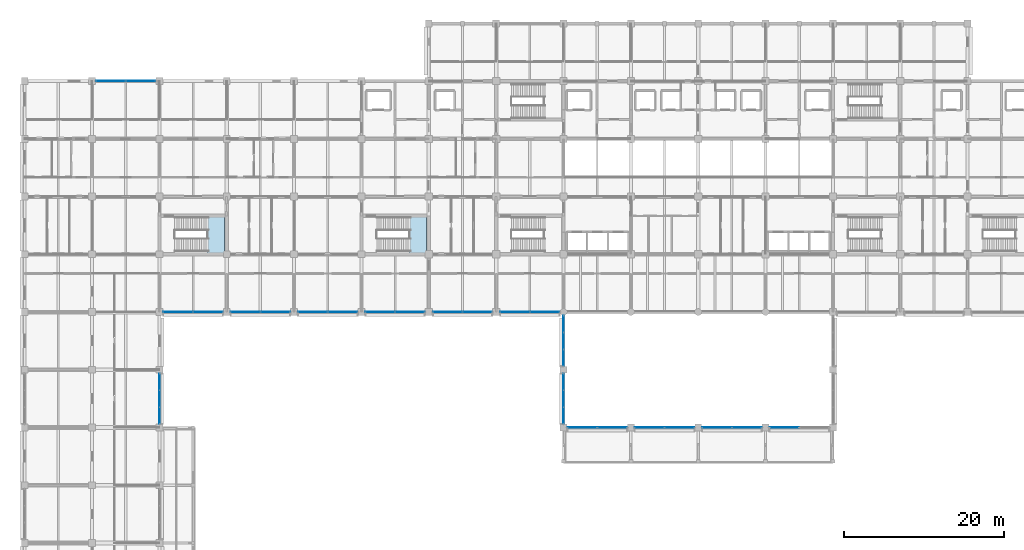
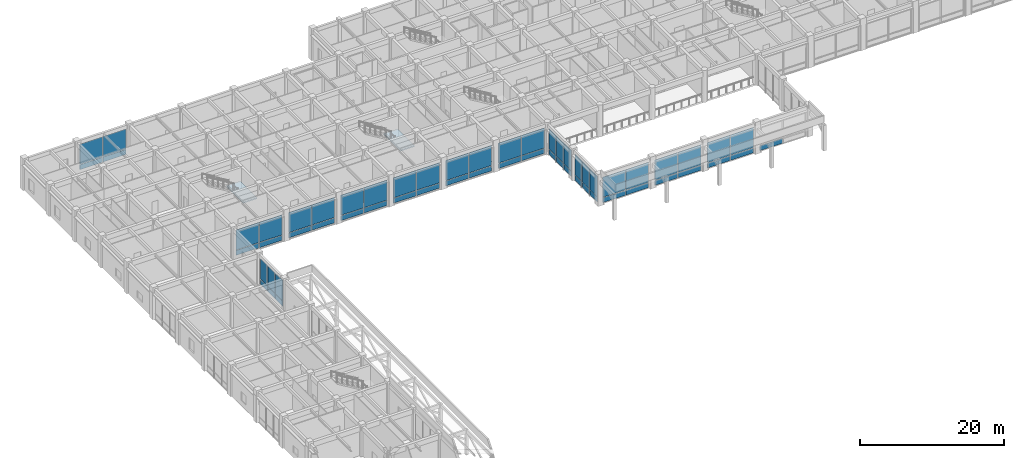
# One storey, part 30 of 68: 59 plates, 2 slabs, 16 elements without a shape of their own.
"""IFC4 building model written with IfcOpenShell, lengths in metres."""

import ifcopenshell
import ifcopenshell.guid

model = None  # the IFC model being written
_history = None  # IfcOwnerHistory: only IFC2X3 demands one
_inside = {}  # id of a spatial element -> (the spatial element, [elements in it])
_under = {}  # id of a project, library or spatial element -> (it, [spatial elements below it])
_declared = {}  # id of a project -> (the project, [libraries it declares])
_typed = {}  # id of a type object -> (the type object, [elements of that type])
_made_of = {}  # id of a material, layer set ... -> (it, [elements and type objects made of it])


def new_model(schema):
    """Start an empty IFC model of exactly this schema.

    Asked for "IFC4X3", IfcOpenShell would pick the latest addendum, in which some entities
    have other attributes; the version numbers below select the first issue.
    IFC2X3 requires an IfcOwnerHistory on every rooted entity: one is made here for all.
    """
    global model, _history
    if schema == "IFC4X3":
        model = ifcopenshell.file(schema_version=(4, 3, 0, 0))
    else:
        model = ifcopenshell.file(schema=schema)
    _inside.clear()
    _under.clear()
    _declared.clear()
    _typed.clear()
    _made_of.clear()
    _history = None
    if model.schema == "IFC2X3":
        org = make("IfcOrganization", Name="unknown")
        user = make(
            "IfcPersonAndOrganization",
            ThePerson=make("IfcPerson", FamilyName="unknown"),
            TheOrganization=org,
        )
        app = make(
            "IfcApplication",
            ApplicationDeveloper=org,
            Version="unknown",
            ApplicationFullName="unknown",
            ApplicationIdentifier="unknown",
        )
        _history = make(
            "IfcOwnerHistory",
            OwningUser=user,
            OwningApplication=app,
            ChangeAction="ADDED",
            CreationDate=0,
        )
    return model


def make(cls, **values):
    """One entity of the class cls with the attributes given. An attribute that is None is left unset."""
    return model.create_entity(
        cls, **{name: value for name, value in values.items() if value is not None}
    )


def rooted(cls, **values):
    """An entity with a GlobalId (a new one), such as an element, a storey or a relation."""
    return make(cls, GlobalId=ifcopenshell.guid.new(), OwnerHistory=_history, **values)


def si_unit(unit_type, name, prefix=None):
    """IfcSIUnit, for example si_unit("LENGTHUNIT", "METRE", prefix="MILLI")."""
    return make("IfcSIUnit", UnitType=unit_type, Prefix=prefix, Name=name)


def assignment(units):
    """IfcUnitAssignment: the units of a project."""
    return None if units is None else make("IfcUnitAssignment", Units=units)


def point(xyz):
    """IfcCartesianPoint."""
    return None if xyz is None else make("IfcCartesianPoint", Coordinates=xyz)


def direction(xyz):
    """IfcDirection."""
    return None if xyz is None else make("IfcDirection", DirectionRatios=xyz)


def frame(location, z_axis=None, x_axis=None):
    """IfcAxis2Placement3D, a coordinate frame: its origin and axes. An axis left out is left unset."""
    return make(
        "IfcAxis2Placement3D",
        Location=point(location),
        Axis=direction(z_axis),
        RefDirection=direction(x_axis),
    )


def frame_2d(location, x_axis=None):
    """IfcAxis2Placement2D, a coordinate frame in the plane: its origin and x axis."""
    return make(
        "IfcAxis2Placement2D", Location=point(location), RefDirection=direction(x_axis)
    )


def origin():
    """The frame at (0, 0, 0) with its axes left unset."""
    return frame((0.0, 0.0, 0.0))


def origin_2d():
    """The frame at (0, 0) in the plane with its x axis left unset."""
    return frame_2d((0.0, 0.0))


def place(relative_to, where):
    """IfcLocalPlacement: puts the frame where relative to a parent placement (None: the world)."""
    return make(
        "IfcLocalPlacement", PlacementRelTo=relative_to, RelativePlacement=where
    )


def context(
    kind, dimensions, precision=None, world=None, true_north=None, identifier=None
):
    """IfcGeometricRepresentationContext, for example the 3D "Model" context."""
    return make(
        "IfcGeometricRepresentationContext",
        ContextIdentifier=identifier,
        ContextType=kind,
        CoordinateSpaceDimension=dimensions,
        Precision=precision,
        WorldCoordinateSystem=world,
        TrueNorth=true_north,
    )


def subcontext(parent, identifier, kind, view, scale=None):
    """IfcGeometricRepresentationSubContext, for example "Body" below "Model"."""
    return make(
        "IfcGeometricRepresentationSubContext",
        ContextIdentifier=identifier,
        ContextType=kind,
        ParentContext=parent,
        TargetScale=scale,
        TargetView=view,
    )


def project(units=None, contexts=None):
    """IfcProject with its units and contexts."""
    return rooted(
        "IfcProject",
        Name="project",
        RepresentationContexts=contexts,
        UnitsInContext=assignment(units),
    )


def spatial(cls, under=None, at=None, **own):
    """A site, building, storey or space (cls), placed at a placement, below another one or the project."""
    s = rooted(cls, ObjectPlacement=at, **own)
    if under is not None:
        _under.setdefault(under.id(), (under, []))[1].append(s)
    return s


def polyline(points):
    """IfcPolyline through the points."""
    return make("IfcPolyline", Points=[point(p) for p in points])


def profile(cls, at=None, kind="AREA", **sizes):
    """A parametric profile (cls). Its sizes go by their IFC names, for example OverallWidth=200.0."""
    return make(cls, ProfileType=kind, Position=at, **sizes)


def rectangle(**sizes):
    """IfcRectangleProfileDef."""
    return profile("IfcRectangleProfileDef", **sizes)


def outline(outer, holes=None, kind="AREA"):
    """IfcArbitraryClosedProfileDef: a profile drawn as a closed curve; with holes, ...WithVoids."""
    if holes is None:
        return make("IfcArbitraryClosedProfileDef", ProfileType=kind, OuterCurve=outer)
    return make(
        "IfcArbitraryProfileDefWithVoids",
        ProfileType=kind,
        OuterCurve=outer,
        InnerCurves=holes,
    )


def extrude(swept, where, along, depth):
    """IfcExtrudedAreaSolid: the profile swept, set in the frame where, extruded along a direction by depth."""
    return make(
        "IfcExtrudedAreaSolid",
        SweptArea=swept,
        Position=where,
        ExtrudedDirection=direction(along),
        Depth=depth,
    )


def shape(context_of_items, identifier, shape_type, items):
    """IfcShapeRepresentation: the items that make up one representation, for example the "Body"."""
    return make(
        "IfcShapeRepresentation",
        ContextOfItems=context_of_items,
        RepresentationIdentifier=identifier,
        RepresentationType=shape_type,
        Items=items,
    )


def material(Name=None, Category=None):
    """IfcMaterial."""
    return make("IfcMaterial", Name=Name, Category=Category)


def layer(
    of_material, thickness, ventilated=None, Name=None, Category=None, Priority=None
):
    """IfcMaterialLayer: one layer of a wall or slab, of a material (None: an air gap)."""
    return make(
        "IfcMaterialLayer",
        Material=of_material,
        LayerThickness=thickness,
        IsVentilated=ventilated,
        Name=Name,
        Category=Category,
        Priority=Priority,
    )


def layer_set(layers, Name=None):
    """IfcMaterialLayerSet."""
    return make("IfcMaterialLayerSet", MaterialLayers=layers, LayerSetName=Name)


def made_of(thing, what):
    """Note that an element or type object is made of a material, layer set ...; save() writes the relation."""
    if what is not None:
        _made_of.setdefault(what.id(), (what, []))[1].append(thing)
    return thing


def type_object(cls, material=None, **own):
    """A type object (cls), such as IfcWallType, which elements share."""
    return made_of(rooted(cls, **own), material)


def element(
    cls,
    number,
    at=None,
    inside=None,
    cuts=None,
    type_object=None,
    material=None,
    context=None,
    identifier="Body",
    shape_type=None,
    held_by="IfcProductDefinitionShape",
    body=None,
    shapes=None,
    **own,
):
    """One element of the class cls, such as IfcWall. Its Tag is "e" and its number.

    at: its placement. inside: the storey or other place that contains it. cuts: it is an
    opening in that element (IfcRelVoidsElement). A single representation is given by context,
    identifier, shape_type and body (its items); several are given by shapes. held_by: the class
    of the entity that holds the representations. save() writes the other relations.
    """
    e = rooted(cls, Tag="e%d" % number, ObjectPlacement=at, **own)
    if body is not None:
        shapes = [shape(context, identifier, shape_type, body)]
    if shapes is not None:
        e.Representation = make(held_by, Representations=shapes)
    if inside is not None:
        _inside.setdefault(inside.id(), (inside, []))[1].append(e)
    if cuts is not None:
        rooted(
            "IfcRelVoidsElement", RelatingBuildingElement=cuts, RelatedOpeningElement=e
        )
    if type_object is not None:
        _typed.setdefault(type_object.id(), (type_object, []))[1].append(e)
    return made_of(e, material)


def aggregate(whole, parts):
    """IfcRelAggregates: a whole, such as a stair, and the parts it consists of."""
    return rooted("IfcRelAggregates", RelatingObject=whole, RelatedObjects=parts)


def save(model, path):
    """Write the relations noted so far, then the file.

    IfcRelAggregates (storeys below a building ...), IfcRelContainedInSpatialStructure (elements
    in a storey), IfcRelDefinesByType, IfcRelAssociatesMaterial and IfcRelDeclares: one each for
    every whole, place, type object, material and project.
    """
    for whole, parts in _under.values():
        aggregate(whole, parts)
    for where, things in _inside.values():
        rooted(
            "IfcRelContainedInSpatialStructure",
            RelatedElements=things,
            RelatingStructure=where,
        )
    for kind, things in _typed.values():
        rooted("IfcRelDefinesByType", RelatedObjects=things, RelatingType=kind)
    for what, things in _made_of.values():
        rooted("IfcRelAssociatesMaterial", RelatedObjects=things, RelatingMaterial=what)
    for by, libraries in _declared.values():
        rooted("IfcRelDeclares", RelatingContext=by, RelatedDefinitions=libraries)
    model.write(path)


model = new_model("IFC4")

# Units and contexts
model_context = context("Model", 3, precision=1e-05, world=origin(), true_north=direction((0.0, 1.0)))
body_context = subcontext(model_context, "Body", "Model", "MODEL_VIEW")
ifc_project = project(units=[si_unit("LENGTHUNIT", "METRE"), si_unit("AREAUNIT", "SQUARE_METRE"), si_unit("VOLUMEUNIT", "CUBIC_METRE"), si_unit("PLANEANGLEUNIT", "RADIAN"), si_unit("MASSUNIT", "GRAM", prefix="KILO")], contexts=[model_context])

# Site, building, storey
site_placement = place(None, origin())
site = spatial("IfcSite", under=ifc_project, at=site_placement, CompositionType="ELEMENT")
building_placement = place(site_placement, origin())
building = spatial("IfcBuilding", under=site, at=building_placement, Name="Chengyuan Square Courthouse", CompositionType="ELEMENT")
storey_placement = place(building_placement, frame((0.0, 0.0, 5.39990234375)))
storey = spatial("IfcBuildingStorey", under=building, at=storey_placement, Name="L02", CompositionType="ELEMENT", Elevation=5.39990234375)

# Curtain wall, plates
ifc_material_1 = material(Name="Unitised Aluminium and Triple Low-E Glass", Category="aluminium")
ifc_layer_1 = layer(ifc_material_1, 0.219970703125)
ifc_layer_set_1 = layer_set([ifc_layer_1], Name="Unitised Aluminium and Triple Low-E Glass")
curtain_wall_type_1 = type_object("IfcCurtainWallType", Name="CW-04", PredefinedType="USERDEFINED", material=ifc_layer_set_1)
curtain_wall_1_placement = place(storey_placement, origin())
curtain_wall_1 = element("IfcCurtainWall", 1, at=curtain_wall_1_placement, inside=storey, type_object=curtain_wall_type_1, Name="Unitised Curtain Wall CW-L02-054", ObjectType="UNITISED CURTAIN WALL", PredefinedType="USERDEFINED")
ifc_material_2 = material(Name="Triple Low-E Insulating Glass", Category="glass")
ifc_layer_2 = layer(ifc_material_2, 0.052001953125)
ifc_layer_set_2 = layer_set([ifc_layer_2], Name="Triple Low-E Insulating Glass")
plate_type_1 = type_object("IfcPlateType", Name="CWP-04", PredefinedType="CURTAIN_PANEL", material=ifc_layer_set_2)
plate_1_placement = place(storey_placement, frame((10.732421875, 108.0, 0.080078125), z_axis=(0.0, 0.0, 1.0), x_axis=(1.0, 0.0, 0.0)))
plate_1 = element("IfcPlate", 2, at=plate_1_placement, type_object=plate_type_1, Name="CW-04 panel 1.1", PredefinedType="CURTAIN_PANEL", context=body_context, shape_type="SweptSolid", body=[
    extrude(rectangle(XDim=3.655029296875, YDim=0.052001953125, at=origin_2d()), origin(), (0.0, 0.0, 1.0), 0.830078125),
])
plate_2_placement = place(storey_placement, frame((10.732421875, 108.0, 0.990234375), z_axis=(0.0, 0.0, 1.0), x_axis=(1.0, 0.0, 0.0)))
plate_2 = element("IfcPlate", 3, at=plate_2_placement, type_object=plate_type_1, Name="CW-04 panel 1.2", PredefinedType="CURTAIN_PANEL", context=body_context, shape_type="SweptSolid", body=[
    extrude(rectangle(XDim=3.655029296875, YDim=0.052001953125, at=origin_2d()), origin(), (0.0, 0.0, 1.0), 3.39990234375),
])
plate_3_placement = place(storey_placement, frame((14.467529296875, 108.0, 0.080078125), z_axis=(0.0, 0.0, 1.0), x_axis=(1.0, 0.0, 0.0)))
plate_3 = element("IfcPlate", 4, at=plate_3_placement, type_object=plate_type_1, Name="CW-04 panel 2.1", PredefinedType="CURTAIN_PANEL", context=body_context, shape_type="SweptSolid", body=[
    extrude(rectangle(XDim=3.655029296875, YDim=0.052001953125, at=origin_2d()), origin(), (0.0, 0.0, 1.0), 0.830078125),
])
plate_4_placement = place(storey_placement, frame((14.467529296875, 108.0, 0.990234375), z_axis=(0.0, 0.0, 1.0), x_axis=(1.0, 0.0, 0.0)))
plate_4 = element("IfcPlate", 5, at=plate_4_placement, type_object=plate_type_1, Name="CW-04 panel 2.2", PredefinedType="CURTAIN_PANEL", context=body_context, shape_type="SweptSolid", body=[
    extrude(rectangle(XDim=3.655029296875, YDim=0.052001953125, at=origin_2d()), origin(), (0.0, 0.0, 1.0), 3.39990234375),
])
aggregate(curtain_wall_1, [plate_1, plate_2, plate_3, plate_4])

curtain_wall_2_placement = place(storey_placement, origin())
curtain_wall_2 = element("IfcCurtainWall", 6, at=curtain_wall_2_placement, inside=storey, type_object=curtain_wall_type_1, Name="Unitised Curtain Wall CW-L02-055", ObjectType="UNITISED CURTAIN WALL", PredefinedType="USERDEFINED")
plate_5_placement = place(storey_placement, frame((19.132568359375, 79.199951171875, 0.080078125), z_axis=(0.0, 0.0, 1.0), x_axis=(1.0, 0.0, 0.0)))
plate_5 = element("IfcPlate", 7, at=plate_5_placement, type_object=plate_type_1, Name="CW-04 panel 1.1", PredefinedType="CURTAIN_PANEL", context=body_context, shape_type="SweptSolid", body=[
    extrude(rectangle(XDim=3.655029296875, YDim=0.052001953125, at=origin_2d()), origin(), (0.0, 0.0, 1.0), 0.830078125),
])
plate_6_placement = place(storey_placement, frame((19.132568359375, 79.199951171875, 0.990234375), z_axis=(0.0, 0.0, 1.0), x_axis=(1.0, 0.0, 0.0)))
plate_6 = element("IfcPlate", 8, at=plate_6_placement, type_object=plate_type_1, Name="CW-04 panel 1.2", PredefinedType="CURTAIN_PANEL", context=body_context, shape_type="SweptSolid", body=[
    extrude(rectangle(XDim=3.655029296875, YDim=0.052001953125, at=origin_2d()), origin(), (0.0, 0.0, 1.0), 3.39990234375),
])
plate_7_placement = place(storey_placement, frame((22.867431640625, 79.199951171875, 0.080078125), z_axis=(0.0, 0.0, 1.0), x_axis=(1.0, 0.0, 0.0)))
plate_7 = element("IfcPlate", 9, at=plate_7_placement, type_object=plate_type_1, Name="CW-04 panel 2.1", PredefinedType="CURTAIN_PANEL", context=body_context, shape_type="SweptSolid", body=[
    extrude(rectangle(XDim=3.655029296875, YDim=0.052001953125, at=origin_2d()), origin(), (0.0, 0.0, 1.0), 0.830078125),
])
plate_8_placement = place(storey_placement, frame((22.867431640625, 79.199951171875, 0.990234375), z_axis=(0.0, 0.0, 1.0), x_axis=(1.0, 0.0, 0.0)))
plate_8 = element("IfcPlate", 10, at=plate_8_placement, type_object=plate_type_1, Name="CW-04 panel 2.2", PredefinedType="CURTAIN_PANEL", context=body_context, shape_type="SweptSolid", body=[
    extrude(rectangle(XDim=3.655029296875, YDim=0.052001953125, at=origin_2d()), origin(), (0.0, 0.0, 1.0), 3.39990234375),
])
aggregate(curtain_wall_2, [plate_5, plate_6, plate_7, plate_8])

curtain_wall_3_placement = place(storey_placement, origin())
curtain_wall_3 = element("IfcCurtainWall", 11, at=curtain_wall_3_placement, inside=storey, type_object=curtain_wall_type_1, Name="Unitised Curtain Wall CW-L02-056", ObjectType="UNITISED CURTAIN WALL", PredefinedType="USERDEFINED")
plate_9_placement = place(storey_placement, frame((27.532470703125, 79.199951171875, 0.080078125), z_axis=(0.0, 0.0, 1.0), x_axis=(1.0, 0.0, 0.0)))
plate_9 = element("IfcPlate", 12, at=plate_9_placement, type_object=plate_type_1, Name="CW-04 panel 1.1", PredefinedType="CURTAIN_PANEL", context=body_context, shape_type="SweptSolid", body=[
    extrude(rectangle(XDim=3.655029296875, YDim=0.052001953125, at=origin_2d()), origin(), (0.0, 0.0, 1.0), 0.830078125),
])
plate_10_placement = place(storey_placement, frame((27.532470703125, 79.199951171875, 0.990234375), z_axis=(0.0, 0.0, 1.0), x_axis=(1.0, 0.0, 0.0)))
plate_10 = element("IfcPlate", 13, at=plate_10_placement, type_object=plate_type_1, Name="CW-04 panel 1.2", PredefinedType="CURTAIN_PANEL", context=body_context, shape_type="SweptSolid", body=[
    extrude(rectangle(XDim=3.655029296875, YDim=0.052001953125, at=origin_2d()), origin(), (0.0, 0.0, 1.0), 3.39990234375),
])
plate_11_placement = place(storey_placement, frame((31.267578125, 79.199951171875, 0.080078125), z_axis=(0.0, 0.0, 1.0), x_axis=(1.0, 0.0, 0.0)))
plate_11 = element("IfcPlate", 14, at=plate_11_placement, type_object=plate_type_1, Name="CW-04 panel 2.1", PredefinedType="CURTAIN_PANEL", context=body_context, shape_type="SweptSolid", body=[
    extrude(rectangle(XDim=3.655029296875, YDim=0.052001953125, at=origin_2d()), origin(), (0.0, 0.0, 1.0), 0.830078125),
])
plate_12_placement = place(storey_placement, frame((31.267578125, 79.199951171875, 0.990234375), z_axis=(0.0, 0.0, 1.0), x_axis=(1.0, 0.0, 0.0)))
plate_12 = element("IfcPlate", 15, at=plate_12_placement, type_object=plate_type_1, Name="CW-04 panel 2.2", PredefinedType="CURTAIN_PANEL", context=body_context, shape_type="SweptSolid", body=[
    extrude(rectangle(XDim=3.655029296875, YDim=0.052001953125, at=origin_2d()), origin(), (0.0, 0.0, 1.0), 3.39990234375),
])
aggregate(curtain_wall_3, [plate_9, plate_10, plate_11, plate_12])

curtain_wall_4_placement = place(storey_placement, origin())
curtain_wall_4 = element("IfcCurtainWall", 16, at=curtain_wall_4_placement, inside=storey, type_object=curtain_wall_type_1, Name="Unitised Curtain Wall CW-L02-057", ObjectType="UNITISED CURTAIN WALL", PredefinedType="USERDEFINED")
plate_13_placement = place(storey_placement, frame((35.9326171875, 79.199951171875, 0.080078125), z_axis=(0.0, 0.0, 1.0), x_axis=(1.0, 0.0, 0.0)))
plate_13 = element("IfcPlate", 17, at=plate_13_placement, type_object=plate_type_1, Name="CW-04 panel 1.1", PredefinedType="CURTAIN_PANEL", context=body_context, shape_type="SweptSolid", body=[
    extrude(rectangle(XDim=3.655029296875, YDim=0.052001953125, at=origin_2d()), origin(), (0.0, 0.0, 1.0), 0.830078125),
])
plate_14_placement = place(storey_placement, frame((35.9326171875, 79.199951171875, 0.990234375), z_axis=(0.0, 0.0, 1.0), x_axis=(1.0, 0.0, 0.0)))
plate_14 = element("IfcPlate", 18, at=plate_14_placement, type_object=plate_type_1, Name="CW-04 panel 1.2", PredefinedType="CURTAIN_PANEL", context=body_context, shape_type="SweptSolid", body=[
    extrude(rectangle(XDim=3.655029296875, YDim=0.052001953125, at=origin_2d()), origin(), (0.0, 0.0, 1.0), 3.39990234375),
])
plate_15_placement = place(storey_placement, frame((39.66748046875, 79.199951171875, 0.080078125), z_axis=(0.0, 0.0, 1.0), x_axis=(1.0, 0.0, 0.0)))
plate_15 = element("IfcPlate", 19, at=plate_15_placement, type_object=plate_type_1, Name="CW-04 panel 2.1", PredefinedType="CURTAIN_PANEL", context=body_context, shape_type="SweptSolid", body=[
    extrude(rectangle(XDim=3.655029296875, YDim=0.052001953125, at=origin_2d()), origin(), (0.0, 0.0, 1.0), 0.830078125),
])
plate_16_placement = place(storey_placement, frame((39.66748046875, 79.199951171875, 0.990234375), z_axis=(0.0, 0.0, 1.0), x_axis=(1.0, 0.0, 0.0)))
plate_16 = element("IfcPlate", 20, at=plate_16_placement, type_object=plate_type_1, Name="CW-04 panel 2.2", PredefinedType="CURTAIN_PANEL", context=body_context, shape_type="SweptSolid", body=[
    extrude(rectangle(XDim=3.655029296875, YDim=0.052001953125, at=origin_2d()), origin(), (0.0, 0.0, 1.0), 3.39990234375),
])
aggregate(curtain_wall_4, [plate_13, plate_14, plate_15, plate_16])

curtain_wall_5_placement = place(storey_placement, origin())
curtain_wall_5 = element("IfcCurtainWall", 21, at=curtain_wall_5_placement, inside=storey, type_object=curtain_wall_type_1, Name="Unitised Curtain Wall CW-L02-058", ObjectType="UNITISED CURTAIN WALL", PredefinedType="USERDEFINED")
plate_17_placement = place(storey_placement, frame((44.326171875, 79.199951171875, 0.080078125), z_axis=(0.0, 0.0, 1.0), x_axis=(1.0, 0.0, 0.0)))
plate_17 = element("IfcPlate", 22, at=plate_17_placement, type_object=plate_type_1, Name="CW-04 panel 1.1", PredefinedType="CURTAIN_PANEL", context=body_context, shape_type="SweptSolid", body=[
    extrude(rectangle(XDim=3.642578125, YDim=0.052001953125, at=origin_2d()), origin(), (0.0, 0.0, 1.0), 0.830078125),
])
plate_18_placement = place(storey_placement, frame((44.326171875, 79.199951171875, 0.990234375), z_axis=(0.0, 0.0, 1.0), x_axis=(1.0, 0.0, 0.0)))
plate_18 = element("IfcPlate", 23, at=plate_18_placement, type_object=plate_type_1, Name="CW-04 panel 1.2", PredefinedType="CURTAIN_PANEL", context=body_context, shape_type="SweptSolid", body=[
    extrude(rectangle(XDim=3.642578125, YDim=0.052001953125, at=origin_2d()), origin(), (0.0, 0.0, 1.0), 3.39990234375),
])
plate_19_placement = place(storey_placement, frame((48.048828125, 79.199951171875, 0.080078125), z_axis=(0.0, 0.0, 1.0), x_axis=(1.0, 0.0, 0.0)))
plate_19 = element("IfcPlate", 24, at=plate_19_placement, type_object=plate_type_1, Name="CW-04 panel 2.1", PredefinedType="CURTAIN_PANEL", context=body_context, shape_type="SweptSolid", body=[
    extrude(rectangle(XDim=3.642578125, YDim=0.052001953125, at=origin_2d()), origin(), (0.0, 0.0, 1.0), 0.830078125),
])
plate_20_placement = place(storey_placement, frame((48.048828125, 79.199951171875, 0.990234375), z_axis=(0.0, 0.0, 1.0), x_axis=(1.0, 0.0, 0.0)))
plate_20 = element("IfcPlate", 25, at=plate_20_placement, type_object=plate_type_1, Name="CW-04 panel 2.2", PredefinedType="CURTAIN_PANEL", context=body_context, shape_type="SweptSolid", body=[
    extrude(rectangle(XDim=3.642578125, YDim=0.052001953125, at=origin_2d()), origin(), (0.0, 0.0, 1.0), 3.39990234375),
])
aggregate(curtain_wall_5, [plate_17, plate_18, plate_19, plate_20])

curtain_wall_6_placement = place(storey_placement, origin())
curtain_wall_6 = element("IfcCurtainWall", 26, at=curtain_wall_6_placement, inside=storey, type_object=curtain_wall_type_1, Name="Unitised Curtain Wall CW-L02-059", ObjectType="UNITISED CURTAIN WALL", PredefinedType="USERDEFINED")
plate_21_placement = place(storey_placement, frame((52.7451171875, 79.199951171875, 0.080078125), z_axis=(0.0, 0.0, 1.0), x_axis=(1.0, 0.0, 0.0)))
plate_21 = element("IfcPlate", 27, at=plate_21_placement, type_object=plate_type_1, Name="CW-04 panel 1.1", PredefinedType="CURTAIN_PANEL", context=body_context, shape_type="SweptSolid", body=[
    extrude(rectangle(XDim=3.6298828125, YDim=0.052001953125, at=origin_2d()), origin(), (0.0, 0.0, 1.0), 0.830078125),
])
plate_22_placement = place(storey_placement, frame((52.7451171875, 79.199951171875, 0.990234375), z_axis=(0.0, 0.0, 1.0), x_axis=(1.0, 0.0, 0.0)))
plate_22 = element("IfcPlate", 28, at=plate_22_placement, type_object=plate_type_1, Name="CW-04 panel 1.2", PredefinedType="CURTAIN_PANEL", context=body_context, shape_type="SweptSolid", body=[
    extrude(rectangle(XDim=3.6298828125, YDim=0.052001953125, at=origin_2d()), origin(), (0.0, 0.0, 1.0), 3.39990234375),
])
plate_23_placement = place(storey_placement, frame((56.455078125, 79.199951171875, 0.080078125), z_axis=(0.0, 0.0, 1.0), x_axis=(1.0, 0.0, 0.0)))
plate_23 = element("IfcPlate", 29, at=plate_23_placement, type_object=plate_type_1, Name="CW-04 panel 2.1", PredefinedType="CURTAIN_PANEL", context=body_context, shape_type="SweptSolid", body=[
    extrude(rectangle(XDim=3.6298828125, YDim=0.052001953125, at=origin_2d()), origin(), (0.0, 0.0, 1.0), 0.830078125),
])
plate_24_placement = place(storey_placement, frame((56.455078125, 79.199951171875, 0.990234375), z_axis=(0.0, 0.0, 1.0), x_axis=(1.0, 0.0, 0.0)))
plate_24 = element("IfcPlate", 30, at=plate_24_placement, type_object=plate_type_1, Name="CW-04 panel 2.2", PredefinedType="CURTAIN_PANEL", context=body_context, shape_type="SweptSolid", body=[
    extrude(rectangle(XDim=3.6298828125, YDim=0.052001953125, at=origin_2d()), origin(), (0.0, 0.0, 1.0), 3.39990234375),
])
aggregate(curtain_wall_6, [plate_21, plate_22, plate_23, plate_24])

curtain_wall_7_placement = place(storey_placement, origin())
curtain_wall_7 = element("IfcCurtainWall", 31, at=curtain_wall_7_placement, inside=storey, type_object=curtain_wall_type_1, Name="Unitised Curtain Wall CW-L02-060", ObjectType="UNITISED CURTAIN WALL", PredefinedType="USERDEFINED")
plate_25_placement = place(storey_placement, frame((61.1513671875, 79.199951171875, 0.080078125), z_axis=(0.0, 0.0, 1.0), x_axis=(1.0, 0.0, 0.0)))
plate_25 = element("IfcPlate", 32, at=plate_25_placement, type_object=plate_type_1, Name="CW-04 panel 1.1", PredefinedType="CURTAIN_PANEL", context=body_context, shape_type="SweptSolid", body=[
    extrude(rectangle(XDim=3.642578125, YDim=0.052001953125, at=origin_2d()), origin(), (0.0, 0.0, 1.0), 0.830078125),
])
plate_26_placement = place(storey_placement, frame((61.1513671875, 79.199951171875, 0.990234375), z_axis=(0.0, 0.0, 1.0), x_axis=(1.0, 0.0, 0.0)))
plate_26 = element("IfcPlate", 33, at=plate_26_placement, type_object=plate_type_1, Name="CW-04 panel 1.2", PredefinedType="CURTAIN_PANEL", context=body_context, shape_type="SweptSolid", body=[
    extrude(rectangle(XDim=3.642578125, YDim=0.052001953125, at=origin_2d()), origin(), (0.0, 0.0, 1.0), 3.39990234375),
])
plate_27_placement = place(storey_placement, frame((64.873779296875, 79.199951171875, 0.080078125), z_axis=(0.0, 0.0, 1.0), x_axis=(1.0, 0.0, 0.0)))
plate_27 = element("IfcPlate", 34, at=plate_27_placement, type_object=plate_type_1, Name="CW-04 panel 2.1", PredefinedType="CURTAIN_PANEL", context=body_context, shape_type="SweptSolid", body=[
    extrude(rectangle(XDim=3.642578125, YDim=0.052001953125, at=origin_2d()), origin(), (0.0, 0.0, 1.0), 0.830078125),
])
plate_28_placement = place(storey_placement, frame((64.873779296875, 79.199951171875, 0.990234375), z_axis=(0.0, 0.0, 1.0), x_axis=(1.0, 0.0, 0.0)))
plate_28 = element("IfcPlate", 35, at=plate_28_placement, type_object=plate_type_1, Name="CW-04 panel 2.2", PredefinedType="CURTAIN_PANEL", context=body_context, shape_type="SweptSolid", body=[
    extrude(rectangle(XDim=3.642578125, YDim=0.052001953125, at=origin_2d()), origin(), (0.0, 0.0, 1.0), 3.39990234375),
])
aggregate(curtain_wall_7, [plate_25, plate_26, plate_27, plate_28])

curtain_wall_8_placement = place(storey_placement, origin())
curtain_wall_8 = element("IfcCurtainWall", 36, at=curtain_wall_8_placement, inside=storey, type_object=curtain_wall_type_1, Name="Unitised Curtain Wall CW-L02-061", ObjectType="UNITISED CURTAIN WALL", PredefinedType="USERDEFINED")
plate_29_placement = place(storey_placement, frame((69.532470703125, 64.800048828125, 0.080078125), z_axis=(0.0, 0.0, 1.0), x_axis=(1.0, 0.0, 0.0)))
plate_29 = element("IfcPlate", 37, at=plate_29_placement, type_object=plate_type_1, Name="CW-04 panel 1.1", PredefinedType="CURTAIN_PANEL", context=body_context, shape_type="SweptSolid", body=[
    extrude(rectangle(XDim=3.655029296875, YDim=0.052001953125, at=origin_2d()), origin(), (0.0, 0.0, 1.0), 0.830078125),
])
plate_30_placement = place(storey_placement, frame((69.532470703125, 64.800048828125, 0.990234375), z_axis=(0.0, 0.0, 1.0), x_axis=(1.0, 0.0, 0.0)))
plate_30 = element("IfcPlate", 38, at=plate_30_placement, type_object=plate_type_1, Name="CW-04 panel 1.2", PredefinedType="CURTAIN_PANEL", context=body_context, shape_type="SweptSolid", body=[
    extrude(rectangle(XDim=3.655029296875, YDim=0.052001953125, at=origin_2d()), origin(), (0.0, 0.0, 1.0), 3.39990234375),
])
plate_31_placement = place(storey_placement, frame((73.267578125, 64.800048828125, 0.080078125), z_axis=(0.0, 0.0, 1.0), x_axis=(1.0, 0.0, 0.0)))
plate_31 = element("IfcPlate", 39, at=plate_31_placement, type_object=plate_type_1, Name="CW-04 panel 2.1", PredefinedType="CURTAIN_PANEL", context=body_context, shape_type="SweptSolid", body=[
    extrude(rectangle(XDim=3.655029296875, YDim=0.052001953125, at=origin_2d()), origin(), (0.0, 0.0, 1.0), 0.830078125),
])
plate_32_placement = place(storey_placement, frame((73.267578125, 64.800048828125, 0.990234375), z_axis=(0.0, 0.0, 1.0), x_axis=(1.0, 0.0, 0.0)))
plate_32 = element("IfcPlate", 40, at=plate_32_placement, type_object=plate_type_1, Name="CW-04 panel 2.2", PredefinedType="CURTAIN_PANEL", context=body_context, shape_type="SweptSolid", body=[
    extrude(rectangle(XDim=3.655029296875, YDim=0.052001953125, at=origin_2d()), origin(), (0.0, 0.0, 1.0), 3.39990234375),
])
aggregate(curtain_wall_8, [plate_29, plate_30, plate_31, plate_32])

curtain_wall_9_placement = place(storey_placement, origin())
curtain_wall_9 = element("IfcCurtainWall", 41, at=curtain_wall_9_placement, inside=storey, type_object=curtain_wall_type_1, Name="Unitised Curtain Wall CW-L02-064", ObjectType="UNITISED CURTAIN WALL", PredefinedType="USERDEFINED")
plate_33_placement = place(storey_placement, frame((77.9326171875, 64.800048828125, 0.080078125), z_axis=(0.0, 0.0, 1.0), x_axis=(1.0, 0.0, 0.0)))
plate_33 = element("IfcPlate", 42, at=plate_33_placement, type_object=plate_type_1, Name="CW-04 panel 1.1", PredefinedType="CURTAIN_PANEL", context=body_context, shape_type="SweptSolid", body=[
    extrude(rectangle(XDim=3.655029296875, YDim=0.052001953125, at=origin_2d()), origin(), (0.0, 0.0, 1.0), 0.830078125),
])
plate_34_placement = place(storey_placement, frame((77.9326171875, 64.800048828125, 0.990234375), z_axis=(0.0, 0.0, 1.0), x_axis=(1.0, 0.0, 0.0)))
plate_34 = element("IfcPlate", 43, at=plate_34_placement, type_object=plate_type_1, Name="CW-04 panel 1.2", PredefinedType="CURTAIN_PANEL", context=body_context, shape_type="SweptSolid", body=[
    extrude(rectangle(XDim=3.655029296875, YDim=0.052001953125, at=origin_2d()), origin(), (0.0, 0.0, 1.0), 3.39990234375),
])
plate_35_placement = place(storey_placement, frame((81.66748046875, 64.800048828125, 0.080078125), z_axis=(0.0, 0.0, 1.0), x_axis=(1.0, 0.0, 0.0)))
plate_35 = element("IfcPlate", 44, at=plate_35_placement, type_object=plate_type_1, Name="CW-04 panel 2.1", PredefinedType="CURTAIN_PANEL", context=body_context, shape_type="SweptSolid", body=[
    extrude(rectangle(XDim=3.655029296875, YDim=0.052001953125, at=origin_2d()), origin(), (0.0, 0.0, 1.0), 0.830078125),
])
plate_36_placement = place(storey_placement, frame((81.66748046875, 64.800048828125, 0.990234375), z_axis=(0.0, 0.0, 1.0), x_axis=(1.0, 0.0, 0.0)))
plate_36 = element("IfcPlate", 45, at=plate_36_placement, type_object=plate_type_1, Name="CW-04 panel 2.2", PredefinedType="CURTAIN_PANEL", context=body_context, shape_type="SweptSolid", body=[
    extrude(rectangle(XDim=3.655029296875, YDim=0.052001953125, at=origin_2d()), origin(), (0.0, 0.0, 1.0), 3.39990234375),
])
aggregate(curtain_wall_9, [plate_33, plate_34, plate_35, plate_36])

curtain_wall_10_placement = place(storey_placement, origin())
curtain_wall_10 = element("IfcCurtainWall", 46, at=curtain_wall_10_placement, inside=storey, type_object=curtain_wall_type_1, Name="Unitised Curtain Wall CW-L02-065", ObjectType="UNITISED CURTAIN WALL", PredefinedType="USERDEFINED")
plate_37_placement = place(storey_placement, frame((86.33251953125, 64.800048828125, 0.080078125), z_axis=(0.0, 0.0, 1.0), x_axis=(1.0, 0.0, 0.0)))
plate_37 = element("IfcPlate", 47, at=plate_37_placement, type_object=plate_type_1, Name="CW-04 panel 1.1", PredefinedType="CURTAIN_PANEL", context=body_context, shape_type="SweptSolid", body=[
    extrude(rectangle(XDim=3.655029296875, YDim=0.052001953125, at=origin_2d()), origin(), (0.0, 0.0, 1.0), 0.830078125),
])
plate_38_placement = place(storey_placement, frame((86.33251953125, 64.800048828125, 0.990234375), z_axis=(0.0, 0.0, 1.0), x_axis=(1.0, 0.0, 0.0)))
plate_38 = element("IfcPlate", 48, at=plate_38_placement, type_object=plate_type_1, Name="CW-04 panel 1.2", PredefinedType="CURTAIN_PANEL", context=body_context, shape_type="SweptSolid", body=[
    extrude(rectangle(XDim=3.655029296875, YDim=0.052001953125, at=origin_2d()), origin(), (0.0, 0.0, 1.0), 3.39990234375),
])
plate_39_placement = place(storey_placement, frame((90.0673828125, 64.800048828125, 0.080078125), z_axis=(0.0, 0.0, 1.0), x_axis=(1.0, 0.0, 0.0)))
plate_39 = element("IfcPlate", 49, at=plate_39_placement, type_object=plate_type_1, Name="CW-04 panel 2.1", PredefinedType="CURTAIN_PANEL", context=body_context, shape_type="SweptSolid", body=[
    extrude(rectangle(XDim=3.655029296875, YDim=0.052001953125, at=origin_2d()), origin(), (0.0, 0.0, 1.0), 0.830078125),
])
plate_40_placement = place(storey_placement, frame((90.0673828125, 64.800048828125, 0.990234375), z_axis=(0.0, 0.0, 1.0), x_axis=(1.0, 0.0, 0.0)))
plate_40 = element("IfcPlate", 50, at=plate_40_placement, type_object=plate_type_1, Name="CW-04 panel 2.2", PredefinedType="CURTAIN_PANEL", context=body_context, shape_type="SweptSolid", body=[
    extrude(rectangle(XDim=3.655029296875, YDim=0.052001953125, at=origin_2d()), origin(), (0.0, 0.0, 1.0), 3.39990234375),
])
aggregate(curtain_wall_10, [plate_37, plate_38, plate_39, plate_40])

# Curtain wall, plate
curtain_wall_11_placement = place(storey_placement, origin())
curtain_wall_11 = element("IfcCurtainWall", 51, at=curtain_wall_11_placement, inside=storey, type_object=curtain_wall_type_1, Name="Unitised Curtain Wall CW-L02-066", ObjectType="UNITISED CURTAIN WALL", PredefinedType="USERDEFINED")
plate_41_placement = place(storey_placement, frame((94.732421875, 64.800048828125, 0.080078125), z_axis=(0.0, 0.0, 1.0), x_axis=(1.0, 0.0, 0.0)))
plate_41 = element("IfcPlate", 52, at=plate_41_placement, type_object=plate_type_1, Name="CW-04 panel 1.1", PredefinedType="CURTAIN_PANEL", context=body_context, shape_type="SweptSolid", body=[
    extrude(rectangle(XDim=3.655029296875, YDim=0.052001953125, at=origin_2d()), origin(), (0.0, 0.0, 1.0), 0.830078125),
])
aggregate(curtain_wall_11, [plate_41])

# Curtain wall, plates
ifc_layer_3 = layer(ifc_material_1, 0.159912109375)
ifc_layer_set_3 = layer_set([ifc_layer_3], Name="Unitised Aluminium and Triple Low-E Glass")
curtain_wall_type_2 = type_object("IfcCurtainWallType", Name="CW-17", PredefinedType="USERDEFINED", material=ifc_layer_set_3)
curtain_wall_12_placement = place(storey_placement, origin())
curtain_wall_12 = element("IfcCurtainWall", 53, at=curtain_wall_12_placement, inside=storey, type_object=curtain_wall_type_2, Name="Unitised Curtain Wall CW-L02-053", ObjectType="UNITISED CURTAIN WALL", PredefinedType="USERDEFINED")
ifc_layer_4 = layer(ifc_material_2, 0.06201171875)
ifc_layer_set_4 = layer_set([ifc_layer_4], Name="Triple Low-E Insulating Glass")
plate_type_2 = type_object("IfcPlateType", Name="CWP-05", PredefinedType="CURTAIN_PANEL", material=ifc_layer_set_4)
plate_42_placement = place(storey_placement, frame((16.800048828125, 66.29833984375, 0.06005859375), z_axis=(0.0, 0.0, 1.0), x_axis=(0.0, 1.0, 0.0)))
plate_42 = element("IfcPlate", 54, at=plate_42_placement, type_object=plate_type_2, Name="CW-17 panel 1.1", PredefinedType="CURTAIN_PANEL", context=body_context, shape_type="SweptSolid", body=[
    extrude(rectangle(XDim=2.026611328125, YDim=0.06201171875, at=origin_2d()), origin(), (0.0, 0.0, 1.0), 0.860107421875),
])
plate_43_placement = place(storey_placement, frame((16.800048828125, 66.29833984375, 0.97998046875), z_axis=(0.0, 0.0, 1.0), x_axis=(0.0, 1.0, 0.0)))
plate_43 = element("IfcPlate", 55, at=plate_43_placement, type_object=plate_type_2, Name="CW-17 panel 1.2", PredefinedType="CURTAIN_PANEL", context=body_context, shape_type="SweptSolid", body=[
    extrude(rectangle(XDim=2.026611328125, YDim=0.06201171875, at=origin_2d()), origin(), (0.0, 0.0, 1.0), 3.429931640625),
])
plate_44_placement = place(storey_placement, frame((16.800048828125, 68.39990234375, 0.06005859375), z_axis=(0.0, 0.0, 1.0), x_axis=(0.0, 1.0, 0.0)))
plate_44 = element("IfcPlate", 56, at=plate_44_placement, type_object=plate_type_2, Name="CW-17 panel 2.1", PredefinedType="CURTAIN_PANEL", context=body_context, shape_type="SweptSolid", body=[
    extrude(rectangle(XDim=2.056640625, YDim=0.06201171875, at=origin_2d()), origin(), (0.0, 0.0, 1.0), 0.860107421875),
])
plate_45_placement = place(storey_placement, frame((16.800048828125, 68.39990234375, 0.97998046875), z_axis=(0.0, 0.0, 1.0), x_axis=(0.0, 1.0, 0.0)))
plate_45 = element("IfcPlate", 57, at=plate_45_placement, type_object=plate_type_2, Name="CW-17 panel 2.2", PredefinedType="CURTAIN_PANEL", context=body_context, shape_type="SweptSolid", body=[
    extrude(rectangle(XDim=2.056640625, YDim=0.06201171875, at=origin_2d()), origin(), (0.0, 0.0, 1.0), 3.429931640625),
])
plate_46_placement = place(storey_placement, frame((16.800048828125, 70.501708984375, 0.06005859375), z_axis=(0.0, 0.0, 1.0), x_axis=(0.0, 1.0, 0.0)))
plate_46 = element("IfcPlate", 58, at=plate_46_placement, type_object=plate_type_2, Name="CW-17 panel 3.1", PredefinedType="CURTAIN_PANEL", context=body_context, shape_type="SweptSolid", body=[
    extrude(rectangle(XDim=2.026611328125, YDim=0.06201171875, at=origin_2d()), origin(), (0.0, 0.0, 1.0), 0.860107421875),
])
plate_47_placement = place(storey_placement, frame((16.800048828125, 70.501708984375, 0.97998046875), z_axis=(0.0, 0.0, 1.0), x_axis=(0.0, 1.0, 0.0)))
plate_47 = element("IfcPlate", 59, at=plate_47_placement, type_object=plate_type_2, Name="CW-17 panel 3.2", PredefinedType="CURTAIN_PANEL", context=body_context, shape_type="SweptSolid", body=[
    extrude(rectangle(XDim=2.026611328125, YDim=0.06201171875, at=origin_2d()), origin(), (0.0, 0.0, 1.0), 3.429931640625),
])
aggregate(curtain_wall_12, [plate_42, plate_43, plate_44, plate_45, plate_46, plate_47])

curtain_wall_13_placement = place(storey_placement, origin())
curtain_wall_13 = element("IfcCurtainWall", 60, at=curtain_wall_13_placement, inside=storey, type_object=curtain_wall_type_2, Name="Unitised Curtain Wall CW-L02-062", ObjectType="UNITISED CURTAIN WALL", PredefinedType="USERDEFINED")
plate_48_placement = place(storey_placement, frame((67.199951171875, 66.29833984375, 0.06005859375), z_axis=(0.0, 0.0, 1.0), x_axis=(0.0, 1.0, 0.0)))
plate_48 = element("IfcPlate", 61, at=plate_48_placement, type_object=plate_type_2, Name="CW-17 panel 1.1", PredefinedType="CURTAIN_PANEL", context=body_context, shape_type="SweptSolid", body=[
    extrude(rectangle(XDim=2.026611328125, YDim=0.06201171875, at=origin_2d()), origin(), (0.0, 0.0, 1.0), 0.860107421875),
])
plate_49_placement = place(storey_placement, frame((67.199951171875, 66.29833984375, 0.97998046875), z_axis=(0.0, 0.0, 1.0), x_axis=(0.0, 1.0, 0.0)))
plate_49 = element("IfcPlate", 62, at=plate_49_placement, type_object=plate_type_2, Name="CW-17 panel 1.2", PredefinedType="CURTAIN_PANEL", context=body_context, shape_type="SweptSolid", body=[
    extrude(rectangle(XDim=2.026611328125, YDim=0.06201171875, at=origin_2d()), origin(), (0.0, 0.0, 1.0), 3.429931640625),
])
plate_50_placement = place(storey_placement, frame((67.199951171875, 68.39990234375, 0.06005859375), z_axis=(0.0, 0.0, 1.0), x_axis=(0.0, 1.0, 0.0)))
plate_50 = element("IfcPlate", 63, at=plate_50_placement, type_object=plate_type_2, Name="CW-17 panel 2.1", PredefinedType="CURTAIN_PANEL", context=body_context, shape_type="SweptSolid", body=[
    extrude(rectangle(XDim=2.056640625, YDim=0.06201171875, at=origin_2d()), origin(), (0.0, 0.0, 1.0), 0.860107421875),
])
plate_51_placement = place(storey_placement, frame((67.199951171875, 68.39990234375, 0.97998046875), z_axis=(0.0, 0.0, 1.0), x_axis=(0.0, 1.0, 0.0)))
plate_51 = element("IfcPlate", 64, at=plate_51_placement, type_object=plate_type_2, Name="CW-17 panel 2.2", PredefinedType="CURTAIN_PANEL", context=body_context, shape_type="SweptSolid", body=[
    extrude(rectangle(XDim=2.056640625, YDim=0.06201171875, at=origin_2d()), origin(), (0.0, 0.0, 1.0), 3.429931640625),
])
plate_52_placement = place(storey_placement, frame((67.199951171875, 70.501708984375, 0.06005859375), z_axis=(0.0, 0.0, 1.0), x_axis=(0.0, 1.0, 0.0)))
plate_52 = element("IfcPlate", 65, at=plate_52_placement, type_object=plate_type_2, Name="CW-17 panel 3.1", PredefinedType="CURTAIN_PANEL", context=body_context, shape_type="SweptSolid", body=[
    extrude(rectangle(XDim=2.026611328125, YDim=0.06201171875, at=origin_2d()), origin(), (0.0, 0.0, 1.0), 0.860107421875),
])
plate_53_placement = place(storey_placement, frame((67.199951171875, 70.501708984375, 0.97998046875), z_axis=(0.0, 0.0, 1.0), x_axis=(0.0, 1.0, 0.0)))
plate_53 = element("IfcPlate", 66, at=plate_53_placement, type_object=plate_type_2, Name="CW-17 panel 3.2", PredefinedType="CURTAIN_PANEL", context=body_context, shape_type="SweptSolid", body=[
    extrude(rectangle(XDim=2.026611328125, YDim=0.06201171875, at=origin_2d()), origin(), (0.0, 0.0, 1.0), 3.429931640625),
])
aggregate(curtain_wall_13, [plate_48, plate_49, plate_50, plate_51, plate_52, plate_53])

curtain_wall_14_placement = place(storey_placement, origin())
curtain_wall_14 = element("IfcCurtainWall", 67, at=curtain_wall_14_placement, inside=storey, type_object=curtain_wall_type_2, Name="Unitised Curtain Wall CW-L02-063", ObjectType="UNITISED CURTAIN WALL", PredefinedType="USERDEFINED")
plate_54_placement = place(storey_placement, frame((67.199951171875, 73.498291015625, 0.06005859375), z_axis=(0.0, 0.0, 1.0), x_axis=(0.0, 1.0, 0.0)))
plate_54 = element("IfcPlate", 68, at=plate_54_placement, type_object=plate_type_2, Name="CW-17 panel 1.1", PredefinedType="CURTAIN_PANEL", context=body_context, shape_type="SweptSolid", body=[
    extrude(rectangle(XDim=2.026611328125, YDim=0.06201171875, at=origin_2d()), origin(), (0.0, 0.0, 1.0), 0.860107421875),
])
plate_55_placement = place(storey_placement, frame((67.199951171875, 73.498291015625, 0.97998046875), z_axis=(0.0, 0.0, 1.0), x_axis=(0.0, 1.0, 0.0)))
plate_55 = element("IfcPlate", 69, at=plate_55_placement, type_object=plate_type_2, Name="CW-17 panel 1.2", PredefinedType="CURTAIN_PANEL", context=body_context, shape_type="SweptSolid", body=[
    extrude(rectangle(XDim=2.026611328125, YDim=0.06201171875, at=origin_2d()), origin(), (0.0, 0.0, 1.0), 3.429931640625),
])
plate_56_placement = place(storey_placement, frame((67.199951171875, 75.60009765625, 0.06005859375), z_axis=(0.0, 0.0, 1.0), x_axis=(0.0, 1.0, 0.0)))
plate_56 = element("IfcPlate", 70, at=plate_56_placement, type_object=plate_type_2, Name="CW-17 panel 2.1", PredefinedType="CURTAIN_PANEL", context=body_context, shape_type="SweptSolid", body=[
    extrude(rectangle(XDim=2.056640625, YDim=0.06201171875, at=origin_2d()), origin(), (0.0, 0.0, 1.0), 0.860107421875),
])
plate_57_placement = place(storey_placement, frame((67.199951171875, 75.60009765625, 0.97998046875), z_axis=(0.0, 0.0, 1.0), x_axis=(0.0, 1.0, 0.0)))
plate_57 = element("IfcPlate", 71, at=plate_57_placement, type_object=plate_type_2, Name="CW-17 panel 2.2", PredefinedType="CURTAIN_PANEL", context=body_context, shape_type="SweptSolid", body=[
    extrude(rectangle(XDim=2.056640625, YDim=0.06201171875, at=origin_2d()), origin(), (0.0, 0.0, 1.0), 3.429931640625),
])
plate_58_placement = place(storey_placement, frame((67.199951171875, 77.70166015625, 0.06005859375), z_axis=(0.0, 0.0, 1.0), x_axis=(0.0, 1.0, 0.0)))
plate_58 = element("IfcPlate", 72, at=plate_58_placement, type_object=plate_type_2, Name="CW-17 panel 3.1", PredefinedType="CURTAIN_PANEL", context=body_context, shape_type="SweptSolid", body=[
    extrude(rectangle(XDim=2.026611328125, YDim=0.06201171875, at=origin_2d()), origin(), (0.0, 0.0, 1.0), 0.860107421875),
])
plate_59_placement = place(storey_placement, frame((67.199951171875, 77.70166015625, 0.97998046875), z_axis=(0.0, 0.0, 1.0), x_axis=(0.0, 1.0, 0.0)))
plate_59 = element("IfcPlate", 73, at=plate_59_placement, type_object=plate_type_2, Name="CW-17 panel 3.2", PredefinedType="CURTAIN_PANEL", context=body_context, shape_type="SweptSolid", body=[
    extrude(rectangle(XDim=2.026611328125, YDim=0.06201171875, at=origin_2d()), origin(), (0.0, 0.0, 1.0), 3.429931640625),
])
aggregate(curtain_wall_14, [plate_54, plate_55, plate_56, plate_57, plate_58, plate_59])

# Stair, slab
ifc_material_3 = material(Name="Concrete C40", Category="concrete")
stair_type_1 = type_object("IfcStairType", Name="ST-TYPE-05", PredefinedType="HALF_TURN_STAIR", material=ifc_material_3)
stair_1_placement = place(storey_placement, origin())
stair_1 = element("IfcStair", 74, at=stair_1_placement, inside=storey, type_object=stair_type_1, Name="Smoke-Proof Exit Stair ST-5 (L02 to L03)", PredefinedType="HALF_TURN_STAIR")
ifc_layer_5 = layer(ifc_material_3, 0.18994140625)
ifc_layer_set_5 = layer_set([ifc_layer_5], Name="Concrete C40")
slab_type = type_object("IfcSlabType", Name="SL-LND1", PredefinedType="LANDING", material=ifc_layer_set_5)
slab_1_placement = place(storey_placement, frame((0.0, 0.0, 2.510009765625)))
slab_1 = element("IfcSlab", 75, at=slab_1_placement, type_object=slab_type, Name="ST-5 landing 1", PredefinedType="LANDING", context=body_context, shape_type="SweptSolid", body=[
    extrude(outline(polyline([(47.929931640625, 86.56005859375), (50.139892578125, 86.56005859375), (50.139892578125, 91.239990234375), (47.929931640625, 91.239990234375), (47.929931640625, 86.56005859375)])), origin(), (0.0, 0.0, 1.0), 0.190185546875),
])
aggregate(stair_1, [slab_1])

stair_type_2 = type_object("IfcStairType", Name="ST-TYPE-09", PredefinedType="HALF_TURN_STAIR", material=ifc_material_3)
stair_2_placement = place(storey_placement, origin())
stair_2 = element("IfcStair", 76, at=stair_2_placement, inside=storey, type_object=stair_type_2, Name="Smoke-Proof Exit Stair ST-9 (L02 to L03)", PredefinedType="HALF_TURN_STAIR")
slab_2_placement = place(storey_placement, frame((0.0, 0.0, 2.510009765625)))
slab_2 = element("IfcSlab", 77, at=slab_2_placement, type_object=slab_type, Name="ST-9 landing 1", PredefinedType="LANDING", context=body_context, shape_type="SweptSolid", body=[
    extrude(outline(polyline([(22.72998046875, 86.56005859375), (24.93994140625, 86.56005859375), (24.93994140625, 91.239990234375), (22.72998046875, 91.239990234375), (22.72998046875, 86.56005859375)])), origin(), (0.0, 0.0, 1.0), 0.190185546875),
])
aggregate(stair_2, [slab_2])

save(model, "model.ifc")
